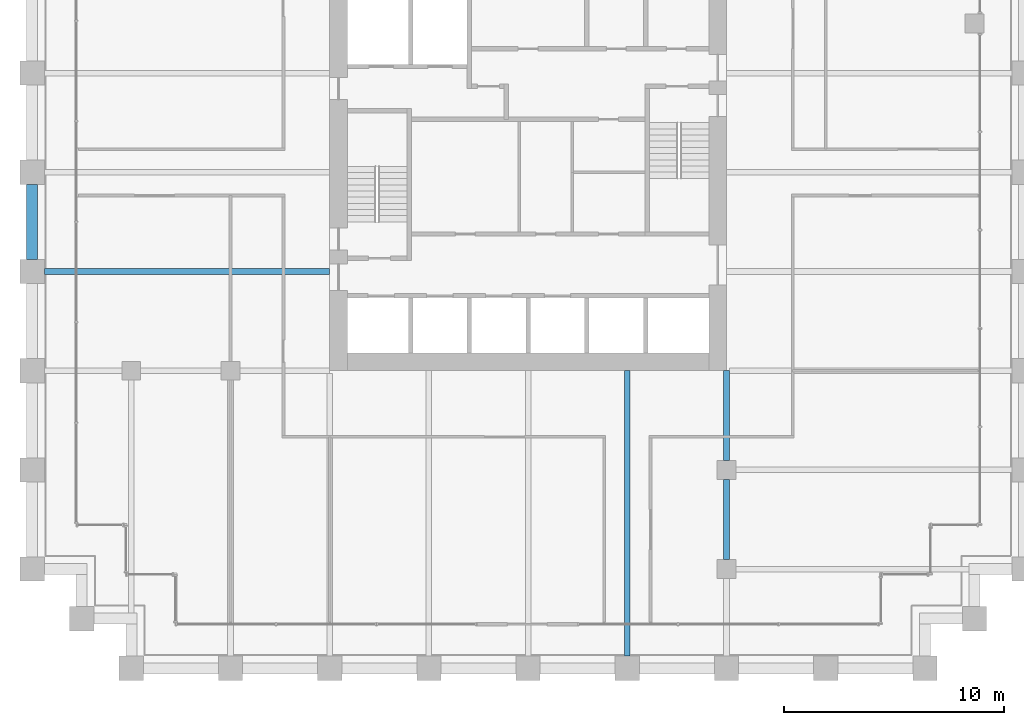
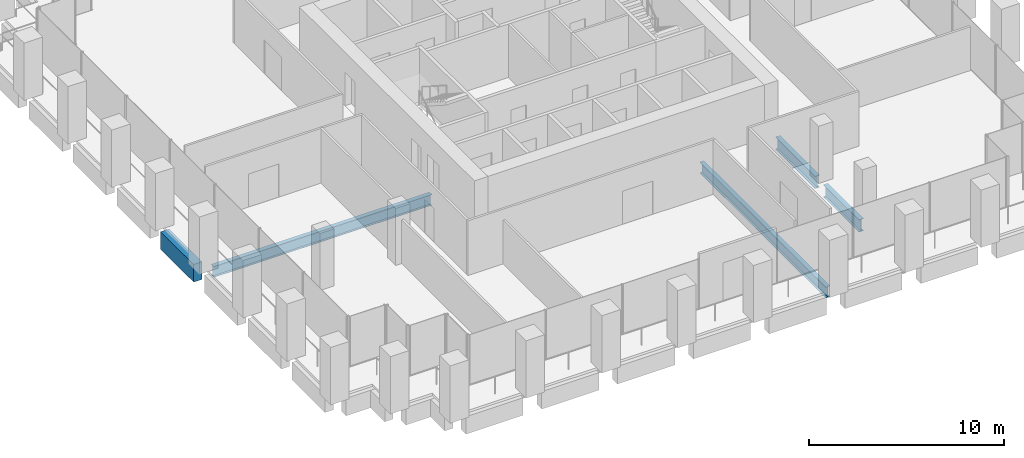
# One storey, part 10 of 54: 5 beams.
"""IFC4 building model written with IfcOpenShell, lengths in metres."""

from ifc_helpers import new_model, si_unit, direction, frame, origin, origin_2d, place, context, subcontext, project, spatial, rectangle, i_section, extrude, material, material_profile, profile_set, type_object, element, save


model = new_model("IFC4")

# Units and contexts
model_context = context("Model", 3, precision=1e-05, world=origin(), true_north=direction((0.0, 1.0)))
body_context = subcontext(model_context, "Body", "Model", "MODEL_VIEW")
ifc_project = project(units=[si_unit("LENGTHUNIT", "METRE"), si_unit("AREAUNIT", "SQUARE_METRE"), si_unit("VOLUMEUNIT", "CUBIC_METRE"), si_unit("PLANEANGLEUNIT", "RADIAN"), si_unit("MASSUNIT", "GRAM", prefix="KILO")], contexts=[model_context])

# Site, building, storey
site_placement = place(None, origin())
site = spatial("IfcSite", under=ifc_project, at=site_placement, CompositionType="ELEMENT")
building_placement = place(site_placement, origin())
building = spatial("IfcBuilding", under=site, at=building_placement, Name="Altepetl Exchange Towers", CompositionType="ELEMENT")
storey_placement = place(building_placement, frame((0.0, 0.0, 61.800048828125)))
storey = spatial("IfcBuildingStorey", under=building, at=storey_placement, Name="L14", CompositionType="ELEMENT", Elevation=61.800048828125)

# Beams
ifc_material_1 = material(Name="Steel S355", Category="steel")
ifc_material_profile_1 = material_profile(ifc_material_1, i_section(OverallWidth=0.25390625, OverallDepth=0.68408203125, WebThickness=0.012451171875, FlangeThickness=0.018798828125, at=origin_2d()), Name="W27X94")
ifc_profile_set_1 = profile_set([ifc_material_profile_1], Name="Steel S355")
beam_type_1 = type_object("IfcBeamType", Name="Floor beam W27X94", PredefinedType="BEAM", material=ifc_profile_set_1)
for number, where, z_axis, x_axis, name in (
    (1, (54.0, 27.550048828125, -0.491943359375), (0.0, 1.0, 0.0), (-1.0, 0.0, 0.0), "bm:A:L14:017"),
    (2, (27.550048828125, 45.0, -0.491943359375), (1.0, 0.0, 0.0), (0.0, 1.0, 0.0), "bm:A:L14:018"),
):
    element("IfcBeam", number, at=place(storey_placement, frame(where, z_axis=z_axis, x_axis=x_axis)), inside=storey, type_object=beam_type_1, Name=name, PredefinedType="BEAM", context=body_context, shape_type="SweptSolid", body=[
        extrude(i_section(OverallWidth=0.25390625, OverallDepth=0.68408203125, WebThickness=0.012451171875, FlangeThickness=0.018798828125, at=origin_2d()), origin(), (0.0, 0.0, 1.0), 12.949951171875),
    ])
ifc_material_profile_2 = material_profile(ifc_material_1, i_section(OverallWidth=0.26806640625, OverallDepth=0.77392578125, WebThickness=0.015380859375, FlangeThickness=0.025390625, at=origin_2d()), Name="W30X132")
ifc_profile_set_2 = profile_set([ifc_material_profile_2], Name="Steel S355")
beam_type_2 = type_object("IfcBeamType", Name="Girder W30X132", PredefinedType="BEAM", material=ifc_profile_set_2)
beam_1_placement = place(storey_placement, frame((58.5, 40.5, -0.537109375), z_axis=(0.0, -1.0, 0.0), x_axis=(1.0, 0.0, 0.0)))
element("IfcBeam", 3, at=beam_1_placement, inside=storey, type_object=beam_type_2, Name="gd:A:L14:006", PredefinedType="BEAM", context=body_context, shape_type="SweptSolid", body=[
    extrude(i_section(OverallWidth=0.26806640625, OverallDepth=0.77392578125, WebThickness=0.015380859375, FlangeThickness=0.025390625, at=origin_2d()), origin(), (0.0, 0.0, 1.0), 4.074951171875),
])
beam_2_placement = place(storey_placement, frame((58.5, 35.574951171875, -0.537109375), z_axis=(0.0, -1.0, 0.0), x_axis=(1.0, 0.0, 0.0)))
element("IfcBeam", 4, at=beam_2_placement, inside=storey, type_object=beam_type_2, Name="gd:A:L14:007", PredefinedType="BEAM", context=body_context, shape_type="SweptSolid", body=[
    extrude(i_section(OverallWidth=0.26806640625, OverallDepth=0.77392578125, WebThickness=0.015380859375, FlangeThickness=0.025390625, at=origin_2d()), origin(), (0.0, 0.0, 1.0), 3.64990234375),
])
ifc_material_2 = material(Name="Concrete C50/60 precast with tezontle facing", Category="concrete")
ifc_material_profile_3 = material_profile(ifc_material_2, rectangle(XDim=0.5, YDim=1.10009765625, at=origin_2d()), Name="500 x 1100")
ifc_profile_set_3 = profile_set([ifc_material_profile_3], Name="Concrete C50/60 precast with tezontle facing")
beam_type_3 = type_object("IfcBeamType", Name="Spandrel beam 500x1100 tezontle", PredefinedType="SPANDREL", material=ifc_profile_set_3)
beam_3_placement = place(storey_placement, frame((27.0, 48.949951171875, -0.699951171875), z_axis=(0.0, -1.0, 0.0), x_axis=(1.0, 0.0, 0.0)))
element("IfcBeam", 5, at=beam_3_placement, inside=storey, type_object=beam_type_3, Name="sp:A:L14:040", PredefinedType="SPANDREL", context=body_context, shape_type="SweptSolid", body=[
    extrude(rectangle(XDim=0.5, YDim=1.10009765625, at=origin_2d()), origin(), (0.0, 0.0, 1.0), 3.39990234375),
])

save(model, "model.ifc")
